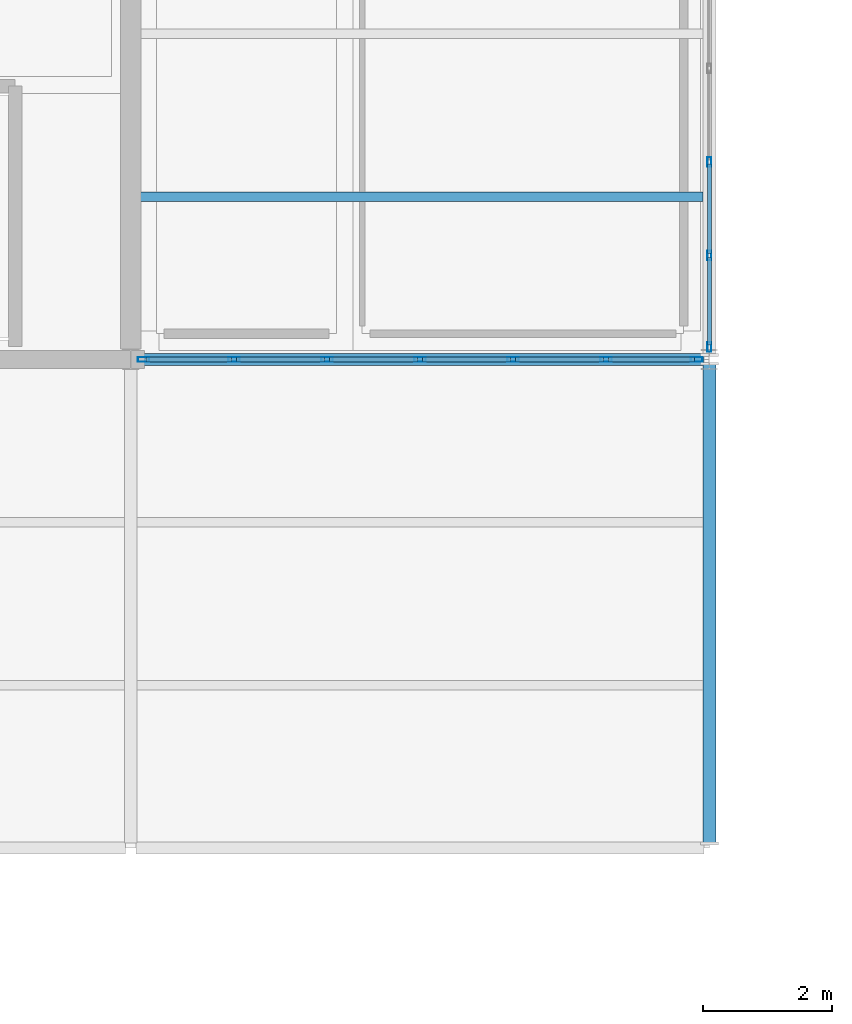
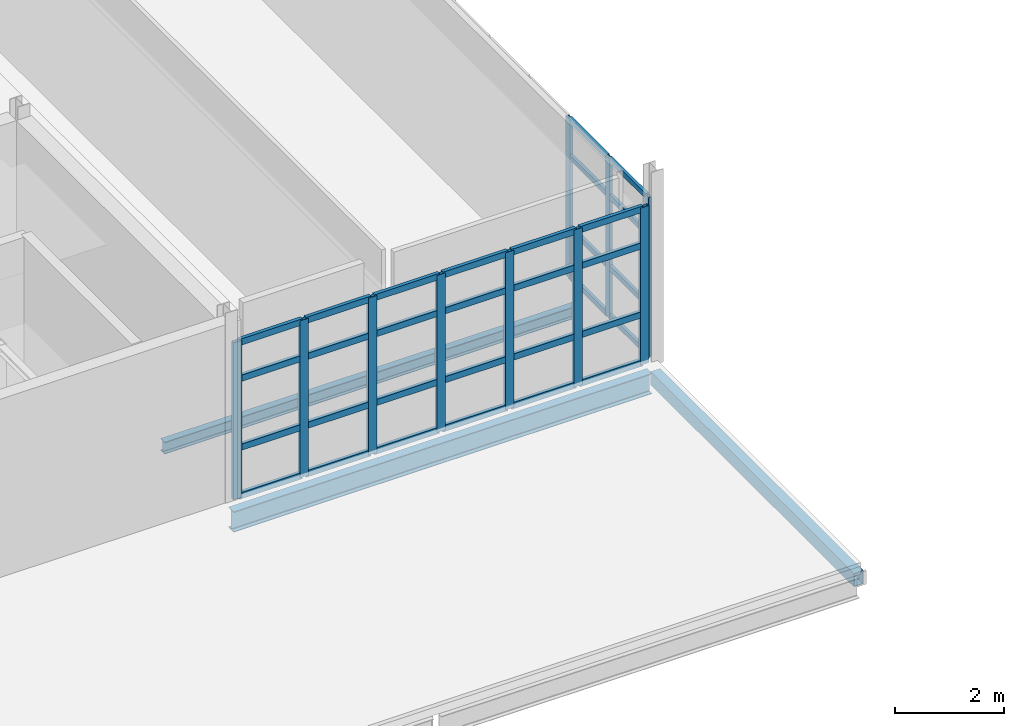
# One storey, part 58 of 96: 42 members, 3 beams, 2 elements without a shape of their own.
"""IFC4 building model written with IfcOpenShell, lengths in metres."""

import ifcopenshell
import ifcopenshell.guid

model = None  # the IFC model being written
_history = None  # IfcOwnerHistory: only IFC2X3 demands one
_inside = {}  # id of a spatial element -> (the spatial element, [elements in it])
_under = {}  # id of a project, library or spatial element -> (it, [spatial elements below it])
_declared = {}  # id of a project -> (the project, [libraries it declares])
_typed = {}  # id of a type object -> (the type object, [elements of that type])
_made_of = {}  # id of a material, layer set ... -> (it, [elements and type objects made of it])


def new_model(schema):
    """Start an empty IFC model of exactly this schema.

    Asked for "IFC4X3", IfcOpenShell would pick the latest addendum, in which some entities
    have other attributes; the version numbers below select the first issue.
    IFC2X3 requires an IfcOwnerHistory on every rooted entity: one is made here for all.
    """
    global model, _history
    if schema == "IFC4X3":
        model = ifcopenshell.file(schema_version=(4, 3, 0, 0))
    else:
        model = ifcopenshell.file(schema=schema)
    _inside.clear()
    _under.clear()
    _declared.clear()
    _typed.clear()
    _made_of.clear()
    _history = None
    if model.schema == "IFC2X3":
        org = make("IfcOrganization", Name="unknown")
        user = make(
            "IfcPersonAndOrganization",
            ThePerson=make("IfcPerson", FamilyName="unknown"),
            TheOrganization=org,
        )
        app = make(
            "IfcApplication",
            ApplicationDeveloper=org,
            Version="unknown",
            ApplicationFullName="unknown",
            ApplicationIdentifier="unknown",
        )
        _history = make(
            "IfcOwnerHistory",
            OwningUser=user,
            OwningApplication=app,
            ChangeAction="ADDED",
            CreationDate=0,
        )
    return model


def make(cls, **values):
    """One entity of the class cls with the attributes given. An attribute that is None is left unset."""
    return model.create_entity(
        cls, **{name: value for name, value in values.items() if value is not None}
    )


def rooted(cls, **values):
    """An entity with a GlobalId (a new one), such as an element, a storey or a relation."""
    return make(cls, GlobalId=ifcopenshell.guid.new(), OwnerHistory=_history, **values)


def si_unit(unit_type, name, prefix=None):
    """IfcSIUnit, for example si_unit("LENGTHUNIT", "METRE", prefix="MILLI")."""
    return make("IfcSIUnit", UnitType=unit_type, Prefix=prefix, Name=name)


def assignment(units):
    """IfcUnitAssignment: the units of a project."""
    return None if units is None else make("IfcUnitAssignment", Units=units)


def point(xyz):
    """IfcCartesianPoint."""
    return None if xyz is None else make("IfcCartesianPoint", Coordinates=xyz)


def direction(xyz):
    """IfcDirection."""
    return None if xyz is None else make("IfcDirection", DirectionRatios=xyz)


def frame(location, z_axis=None, x_axis=None):
    """IfcAxis2Placement3D, a coordinate frame: its origin and axes. An axis left out is left unset."""
    return make(
        "IfcAxis2Placement3D",
        Location=point(location),
        Axis=direction(z_axis),
        RefDirection=direction(x_axis),
    )


def frame_2d(location, x_axis=None):
    """IfcAxis2Placement2D, a coordinate frame in the plane: its origin and x axis."""
    return make(
        "IfcAxis2Placement2D", Location=point(location), RefDirection=direction(x_axis)
    )


def origin():
    """The frame at (0, 0, 0) with its axes left unset."""
    return frame((0.0, 0.0, 0.0))


def origin_2d():
    """The frame at (0, 0) in the plane with its x axis left unset."""
    return frame_2d((0.0, 0.0))


def place(relative_to, where):
    """IfcLocalPlacement: puts the frame where relative to a parent placement (None: the world)."""
    return make(
        "IfcLocalPlacement", PlacementRelTo=relative_to, RelativePlacement=where
    )


def context(
    kind, dimensions, precision=None, world=None, true_north=None, identifier=None
):
    """IfcGeometricRepresentationContext, for example the 3D "Model" context."""
    return make(
        "IfcGeometricRepresentationContext",
        ContextIdentifier=identifier,
        ContextType=kind,
        CoordinateSpaceDimension=dimensions,
        Precision=precision,
        WorldCoordinateSystem=world,
        TrueNorth=true_north,
    )


def subcontext(parent, identifier, kind, view, scale=None):
    """IfcGeometricRepresentationSubContext, for example "Body" below "Model"."""
    return make(
        "IfcGeometricRepresentationSubContext",
        ContextIdentifier=identifier,
        ContextType=kind,
        ParentContext=parent,
        TargetScale=scale,
        TargetView=view,
    )


def project(units=None, contexts=None):
    """IfcProject with its units and contexts."""
    return rooted(
        "IfcProject",
        Name="project",
        RepresentationContexts=contexts,
        UnitsInContext=assignment(units),
    )


def spatial(cls, under=None, at=None, **own):
    """A site, building, storey or space (cls), placed at a placement, below another one or the project."""
    s = rooted(cls, ObjectPlacement=at, **own)
    if under is not None:
        _under.setdefault(under.id(), (under, []))[1].append(s)
    return s


def profile(cls, at=None, kind="AREA", **sizes):
    """A parametric profile (cls). Its sizes go by their IFC names, for example OverallWidth=200.0."""
    return make(cls, ProfileType=kind, Position=at, **sizes)


def hollow_rectangle(**sizes):
    """IfcRectangleHollowProfileDef."""
    return profile("IfcRectangleHollowProfileDef", **sizes)


def i_section(**sizes):
    """IfcIShapeProfileDef."""
    return profile("IfcIShapeProfileDef", **sizes)


def extrude(swept, where, along, depth):
    """IfcExtrudedAreaSolid: the profile swept, set in the frame where, extruded along a direction by depth."""
    return make(
        "IfcExtrudedAreaSolid",
        SweptArea=swept,
        Position=where,
        ExtrudedDirection=direction(along),
        Depth=depth,
    )


def shape(context_of_items, identifier, shape_type, items):
    """IfcShapeRepresentation: the items that make up one representation, for example the "Body"."""
    return make(
        "IfcShapeRepresentation",
        ContextOfItems=context_of_items,
        RepresentationIdentifier=identifier,
        RepresentationType=shape_type,
        Items=items,
    )


def material(Name=None, Category=None):
    """IfcMaterial."""
    return make("IfcMaterial", Name=Name, Category=Category)


def material_profile(
    of_material, cross_section, Name=None, Category=None, Priority=None
):
    """IfcMaterialProfile: a cross section and its material."""
    return make(
        "IfcMaterialProfile",
        Name=Name,
        Material=of_material,
        Profile=cross_section,
        Priority=Priority,
        Category=Category,
    )


def profile_set(profiles, Name=None, composite=None):
    """IfcMaterialProfileSet."""
    return make(
        "IfcMaterialProfileSet",
        Name=Name,
        MaterialProfiles=profiles,
        CompositeProfile=composite,
    )


def made_of(thing, what):
    """Note that an element or type object is made of a material, layer set ...; save() writes the relation."""
    if what is not None:
        _made_of.setdefault(what.id(), (what, []))[1].append(thing)
    return thing


def type_object(cls, material=None, **own):
    """A type object (cls), such as IfcWallType, which elements share."""
    return made_of(rooted(cls, **own), material)


def element(
    cls,
    number,
    at=None,
    inside=None,
    cuts=None,
    type_object=None,
    material=None,
    context=None,
    identifier="Body",
    shape_type=None,
    held_by="IfcProductDefinitionShape",
    body=None,
    shapes=None,
    **own,
):
    """One element of the class cls, such as IfcWall. Its Tag is "e" and its number.

    at: its placement. inside: the storey or other place that contains it. cuts: it is an
    opening in that element (IfcRelVoidsElement). A single representation is given by context,
    identifier, shape_type and body (its items); several are given by shapes. held_by: the class
    of the entity that holds the representations. save() writes the other relations.
    """
    e = rooted(cls, Tag="e%d" % number, ObjectPlacement=at, **own)
    if body is not None:
        shapes = [shape(context, identifier, shape_type, body)]
    if shapes is not None:
        e.Representation = make(held_by, Representations=shapes)
    if inside is not None:
        _inside.setdefault(inside.id(), (inside, []))[1].append(e)
    if cuts is not None:
        rooted(
            "IfcRelVoidsElement", RelatingBuildingElement=cuts, RelatedOpeningElement=e
        )
    if type_object is not None:
        _typed.setdefault(type_object.id(), (type_object, []))[1].append(e)
    return made_of(e, material)


def aggregate(whole, parts):
    """IfcRelAggregates: a whole, such as a stair, and the parts it consists of."""
    return rooted("IfcRelAggregates", RelatingObject=whole, RelatedObjects=parts)


def save(model, path):
    """Write the relations noted so far, then the file.

    IfcRelAggregates (storeys below a building ...), IfcRelContainedInSpatialStructure (elements
    in a storey), IfcRelDefinesByType, IfcRelAssociatesMaterial and IfcRelDeclares: one each for
    every whole, place, type object, material and project.
    """
    for whole, parts in _under.values():
        aggregate(whole, parts)
    for where, things in _inside.values():
        rooted(
            "IfcRelContainedInSpatialStructure",
            RelatedElements=things,
            RelatingStructure=where,
        )
    for kind, things in _typed.values():
        rooted("IfcRelDefinesByType", RelatedObjects=things, RelatingType=kind)
    for what, things in _made_of.values():
        rooted("IfcRelAssociatesMaterial", RelatedObjects=things, RelatingMaterial=what)
    for by, libraries in _declared.values():
        rooted("IfcRelDeclares", RelatingContext=by, RelatedDefinitions=libraries)
    model.write(path)


model = new_model("IFC4")

# Units and contexts
model_context = context("Model", 3, precision=1e-05, world=origin(), true_north=direction((0.0, 1.0)))
body_context = subcontext(model_context, "Body", "Model", "MODEL_VIEW")
ifc_project = project(units=[si_unit("LENGTHUNIT", "METRE"), si_unit("AREAUNIT", "SQUARE_METRE"), si_unit("VOLUMEUNIT", "CUBIC_METRE"), si_unit("PLANEANGLEUNIT", "RADIAN"), si_unit("MASSUNIT", "GRAM", prefix="KILO")], contexts=[model_context])

# Site, building, storey
site_placement = place(None, origin())
site = spatial("IfcSite", under=ifc_project, at=site_placement, CompositionType="ELEMENT")
building_placement = place(site_placement, origin())
building = spatial("IfcBuilding", under=site, at=building_placement, Name="Caisbarro Railhouse Central Library", CompositionType="ELEMENT")
storey_placement = place(building_placement, frame((0.0, 0.0, 13.679931640625)))
storey = spatial("IfcBuildingStorey", under=building, at=storey_placement, Name="L03", CompositionType="ELEMENT", Elevation=13.679931640625)

# Beams
ifc_material_1 = material(Name="Steel ASTM A572 Grade 50", Category="steel")
ifc_material_profile_1 = material_profile(ifc_material_1, i_section(OverallWidth=0.14794921875, OverallDepth=0.26611328125, WebThickness=0.007568359375, FlangeThickness=0.012939453125, FilletRadius=0.010009765625, at=origin_2d()), Name="W250X44.8")
ifc_profile_set_1 = profile_set([ifc_material_profile_1], Name="Steel ASTM A572 Grade 50")
beam_type_1 = type_object("IfcBeamType", Name="BM-J04", PredefinedType="JOIST", material=ifc_profile_set_1)
beam_1_placement = place(storey_placement, frame((144.094970703125, 70.933349609375, -0.35302734375), z_axis=(1.0, 0.0, 0.0), x_axis=(0.0, 1.0, 0.0)))
element("IfcBeam", 1, at=beam_1_placement, inside=storey, type_object=beam_type_1, Name="J04 beam L03 #1933", PredefinedType="JOIST", context=body_context, shape_type="SweptSolid", body=[
    extrude(i_section(OverallWidth=0.14794921875, OverallDepth=0.26611328125, WebThickness=0.007568359375, FlangeThickness=0.012939453125, FilletRadius=0.010009765625, at=origin_2d()), origin(), (0.0, 0.0, 1.0), 8.804931640625),
])
ifc_material_profile_2 = material_profile(ifc_material_1, i_section(OverallWidth=0.18994140625, OverallDepth=0.45703125, WebThickness=0.009033203125, FlangeThickness=0.014404296875, FilletRadius=0.01806640625, at=origin_2d()), Name="W460X74.0")
ifc_profile_set_2 = profile_set([ifc_material_profile_2], Name="Steel ASTM A572 Grade 50")
beam_type_2 = type_object("IfcBeamType", Name="BM-SP01", PredefinedType="SPANDREL", material=ifc_profile_set_2)
beam_2_placement = place(storey_placement, frame((144.080078125, 68.39990234375, -0.448486328125), z_axis=(1.0, 0.0, 0.0), x_axis=(0.0, 1.0, 0.0)))
element("IfcBeam", 2, at=beam_2_placement, inside=storey, type_object=beam_type_2, Name="SP01 beam L03 #1858", PredefinedType="SPANDREL", context=body_context, shape_type="SweptSolid", body=[
    extrude(i_section(OverallWidth=0.18994140625, OverallDepth=0.45703125, WebThickness=0.009033203125, FlangeThickness=0.014404296875, FilletRadius=0.01806640625, at=origin_2d()), origin(), (0.0, 0.0, 1.0), 8.83984375),
])
ifc_material_profile_3 = material_profile(ifc_material_1, hollow_rectangle(XDim=0.199951171875, YDim=0.300048828125, WallThickness=0.012451171875, at=origin_2d()), Name="HSS300X200X12.5")
ifc_profile_set_3 = profile_set([ifc_material_profile_3], Name="Steel ASTM A572 Grade 50")
beam_type_3 = type_object("IfcBeamType", Name="BM-SP02", PredefinedType="SPANDREL", material=ifc_profile_set_3)
beam_3_placement = place(storey_placement, frame((153.0, 60.8798828125, -0.329833984375), z_axis=(0.0, 1.0, 0.0), x_axis=(-1.0, 0.0, 0.0)))
element("IfcBeam", 3, at=beam_3_placement, inside=storey, type_object=beam_type_3, Name="SP02 beam L03 #2415", PredefinedType="SPANDREL", context=body_context, shape_type="SweptSolid", body=[
    extrude(hollow_rectangle(XDim=0.199951171875, YDim=0.300048828125, WallThickness=0.012451171875, at=origin_2d()), origin(), (0.0, 0.0, 1.0), 7.440185546875),
])

# Curtain wall, members
ifc_material_2 = material(Name="Anodised architectural aluminium", Category="aluminium")
curtain_wall_type_1 = type_object("IfcCurtainWallType", Name="CW-CW02", PredefinedType="NOTDEFINED", material=ifc_material_2)
curtain_wall_1_placement = place(storey_placement, origin())
curtain_wall_1 = element("IfcCurtainWall", 4, at=curtain_wall_1_placement, inside=storey, type_object=curtain_wall_type_1, Name="CW02 curtain wall L03 #150", PredefinedType="NOTDEFINED")
ifc_material_profile_4 = material_profile(ifc_material_2, hollow_rectangle(XDim=0.074951171875, YDim=0.179931640625, WallThickness=0.00439453125, at=origin_2d()), Name="ALU-MUL-75X180")
ifc_profile_set_4 = profile_set([ifc_material_profile_4], Name="Anodised architectural aluminium")
member_type_1 = type_object("IfcMemberType", Name="CWM-M01", PredefinedType="MULLION", material=ifc_profile_set_4)
member_1_placement = place(storey_placement, frame((144.197509765625, 68.39990234375, 0.0), z_axis=(0.0, 0.0, 1.0), x_axis=(0.0, 1.0, 0.0)))
member_1 = element("IfcMember", 5, at=member_1_placement, type_object=member_type_1, Name="CW02 mullion 1", PredefinedType="MULLION", context=body_context, shape_type="SweptSolid", body=[
    extrude(hollow_rectangle(XDim=0.074951171875, YDim=0.179931640625, WallThickness=0.00439453125, at=origin_2d()), origin(), (0.0, 0.0, 1.0), 3.510009765625),
])
member_2_placement = place(storey_placement, frame((145.606689453125, 68.39990234375, 0.0), z_axis=(0.0, 0.0, 1.0), x_axis=(0.0, 1.0, 0.0)))
member_2 = element("IfcMember", 6, at=member_2_placement, type_object=member_type_1, Name="CW02 mullion 2", PredefinedType="MULLION", context=body_context, shape_type="SweptSolid", body=[
    extrude(hollow_rectangle(XDim=0.074951171875, YDim=0.179931640625, WallThickness=0.00439453125, at=origin_2d()), origin(), (0.0, 0.0, 1.0), 3.510009765625),
])
member_3_placement = place(storey_placement, frame((147.05322265625, 68.39990234375, 0.0), z_axis=(0.0, 0.0, 1.0), x_axis=(0.0, 1.0, 0.0)))
member_3 = element("IfcMember", 7, at=member_3_placement, type_object=member_type_1, Name="CW02 mullion 3", PredefinedType="MULLION", context=body_context, shape_type="SweptSolid", body=[
    extrude(hollow_rectangle(XDim=0.074951171875, YDim=0.179931640625, WallThickness=0.00439453125, at=origin_2d()), origin(), (0.0, 0.0, 1.0), 3.510009765625),
])
member_4_placement = place(storey_placement, frame((148.5, 68.39990234375, 0.0), z_axis=(0.0, 0.0, 1.0), x_axis=(0.0, 1.0, 0.0)))
member_4 = element("IfcMember", 8, at=member_4_placement, type_object=member_type_1, Name="CW02 mullion 4", PredefinedType="MULLION", context=body_context, shape_type="SweptSolid", body=[
    extrude(hollow_rectangle(XDim=0.074951171875, YDim=0.179931640625, WallThickness=0.00439453125, at=origin_2d()), origin(), (0.0, 0.0, 1.0), 3.510009765625),
])
member_5_placement = place(storey_placement, frame((149.94677734375, 68.39990234375, 0.0), z_axis=(0.0, 0.0, 1.0), x_axis=(0.0, 1.0, 0.0)))
member_5 = element("IfcMember", 9, at=member_5_placement, type_object=member_type_1, Name="CW02 mullion 5", PredefinedType="MULLION", context=body_context, shape_type="SweptSolid", body=[
    extrude(hollow_rectangle(XDim=0.074951171875, YDim=0.179931640625, WallThickness=0.00439453125, at=origin_2d()), origin(), (0.0, 0.0, 1.0), 3.510009765625),
])
member_6_placement = place(storey_placement, frame((151.393310546875, 68.39990234375, 0.0), z_axis=(0.0, 0.0, 1.0), x_axis=(0.0, 1.0, 0.0)))
member_6 = element("IfcMember", 10, at=member_6_placement, type_object=member_type_1, Name="CW02 mullion 6", PredefinedType="MULLION", context=body_context, shape_type="SweptSolid", body=[
    extrude(hollow_rectangle(XDim=0.074951171875, YDim=0.179931640625, WallThickness=0.00439453125, at=origin_2d()), origin(), (0.0, 0.0, 1.0), 3.510009765625),
])
member_7_placement = place(storey_placement, frame((152.802490234375, 68.39990234375, 0.0), z_axis=(0.0, 0.0, 1.0), x_axis=(0.0, 1.0, 0.0)))
member_7 = element("IfcMember", 11, at=member_7_placement, type_object=member_type_1, Name="CW02 mullion 7", PredefinedType="MULLION", context=body_context, shape_type="SweptSolid", body=[
    extrude(hollow_rectangle(XDim=0.074951171875, YDim=0.179931640625, WallThickness=0.00439453125, at=origin_2d()), origin(), (0.0, 0.0, 1.0), 3.510009765625),
])

curtain_wall_type_2 = type_object("IfcCurtainWallType", Name="CW-CW03", PredefinedType="NOTDEFINED", material=ifc_material_2)
curtain_wall_2_placement = place(storey_placement, origin())
curtain_wall_2 = element("IfcCurtainWall", 12, at=curtain_wall_2_placement, inside=storey, type_object=curtain_wall_type_2, Name="CW03 curtain wall L03 #151", PredefinedType="NOTDEFINED")
ifc_material_profile_5 = material_profile(ifc_material_2, hollow_rectangle(XDim=0.06494140625, YDim=0.14990234375, WallThickness=0.00390625, at=origin_2d()), Name="ALU-MUL-65X150")
ifc_profile_set_5 = profile_set([ifc_material_profile_5], Name="Anodised architectural aluminium")
member_type_2 = type_object("IfcMemberType", Name="CWM-M02", PredefinedType="MULLION", material=ifc_profile_set_5)
member_8_placement = place(storey_placement, frame((153.0, 68.592529296875, 0.0), z_axis=(0.0, 0.0, 1.0), x_axis=(-1.0, 0.0, 0.0)))
member_8 = element("IfcMember", 13, at=member_8_placement, type_object=member_type_2, Name="CW03 mullion 1", PredefinedType="MULLION", context=body_context, shape_type="SweptSolid", body=[
    extrude(hollow_rectangle(XDim=0.06494140625, YDim=0.14990234375, WallThickness=0.00390625, at=origin_2d()), origin(), (0.0, 0.0, 1.0), 3.56005859375),
])
member_9_placement = place(storey_placement, frame((153.0, 70.01611328125, 0.0), z_axis=(0.0, 0.0, 1.0), x_axis=(-1.0, 0.0, 0.0)))
member_9 = element("IfcMember", 14, at=member_9_placement, type_object=member_type_2, Name="CW03 mullion 2", PredefinedType="MULLION", context=body_context, shape_type="SweptSolid", body=[
    extrude(hollow_rectangle(XDim=0.06494140625, YDim=0.14990234375, WallThickness=0.00390625, at=origin_2d()), origin(), (0.0, 0.0, 1.0), 3.56005859375),
])
member_10_placement = place(storey_placement, frame((153.0, 71.471923828125, 0.0), z_axis=(0.0, 0.0, 1.0), x_axis=(-1.0, 0.0, 0.0)))
member_10 = element("IfcMember", 15, at=member_10_placement, type_object=member_type_2, Name="CW03 mullion 3", PredefinedType="MULLION", context=body_context, shape_type="SweptSolid", body=[
    extrude(hollow_rectangle(XDim=0.06494140625, YDim=0.14990234375, WallThickness=0.00390625, at=origin_2d()), origin(), (0.0, 0.0, 1.0), 3.56005859375),
])

# Member
ifc_material_profile_6 = material_profile(ifc_material_2, hollow_rectangle(XDim=0.074951171875, YDim=0.139892578125, WallThickness=0.00390625, at=origin_2d()), Name="ALU-TRN-75X140")
ifc_profile_set_6 = profile_set([ifc_material_profile_6], Name="Anodised architectural aluminium")
member_type_3 = type_object("IfcMemberType", Name="CWT-T01", PredefinedType="USERDEFINED", material=ifc_profile_set_6)
member_11_placement = place(storey_placement, frame((144.235107421875, 68.39990234375, 0.03759765625), z_axis=(1.0, 0.0, 0.0), x_axis=(0.0, 1.0, 0.0)))
member_11 = element("IfcMember", 16, at=member_11_placement, type_object=member_type_3, Name="CW02 transom 1.1", ObjectType="TRANSOM", PredefinedType="USERDEFINED", context=body_context, shape_type="SweptSolid", body=[
    extrude(hollow_rectangle(XDim=0.074951171875, YDim=0.139892578125, WallThickness=0.00390625, at=origin_2d()), origin(), (0.0, 0.0, 1.0), 1.333984375),
])

member_12_placement = place(storey_placement, frame((144.235107421875, 68.39990234375, 1.1201171875), z_axis=(1.0, 0.0, 0.0), x_axis=(0.0, 1.0, 0.0)))
member_12 = element("IfcMember", 17, at=member_12_placement, type_object=member_type_3, Name="CW02 transom 1.2", ObjectType="TRANSOM", PredefinedType="USERDEFINED", context=body_context, shape_type="SweptSolid", body=[
    extrude(hollow_rectangle(XDim=0.074951171875, YDim=0.139892578125, WallThickness=0.00390625, at=origin_2d()), origin(), (0.0, 0.0, 1.0), 1.333984375),
])

member_13_placement = place(storey_placement, frame((144.235107421875, 68.39990234375, 2.66015625), z_axis=(1.0, 0.0, 0.0), x_axis=(0.0, 1.0, 0.0)))
member_13 = element("IfcMember", 18, at=member_13_placement, type_object=member_type_3, Name="CW02 transom 1.3", ObjectType="TRANSOM", PredefinedType="USERDEFINED", context=body_context, shape_type="SweptSolid", body=[
    extrude(hollow_rectangle(XDim=0.074951171875, YDim=0.139892578125, WallThickness=0.00390625, at=origin_2d()), origin(), (0.0, 0.0, 1.0), 1.333984375),
])

member_14_placement = place(storey_placement, frame((144.235107421875, 68.39990234375, 3.47265625), z_axis=(1.0, 0.0, 0.0), x_axis=(0.0, 1.0, 0.0)))
member_14 = element("IfcMember", 19, at=member_14_placement, type_object=member_type_3, Name="CW02 transom 1.4", ObjectType="TRANSOM", PredefinedType="USERDEFINED", context=body_context, shape_type="SweptSolid", body=[
    extrude(hollow_rectangle(XDim=0.074951171875, YDim=0.139892578125, WallThickness=0.00390625, at=origin_2d()), origin(), (0.0, 0.0, 1.0), 1.333984375),
])

member_15_placement = place(storey_placement, frame((145.644287109375, 68.39990234375, 0.03759765625), z_axis=(1.0, 0.0, 0.0), x_axis=(0.0, 1.0, 0.0)))
member_15 = element("IfcMember", 20, at=member_15_placement, type_object=member_type_3, Name="CW02 transom 2.1", ObjectType="TRANSOM", PredefinedType="USERDEFINED", context=body_context, shape_type="SweptSolid", body=[
    extrude(hollow_rectangle(XDim=0.074951171875, YDim=0.139892578125, WallThickness=0.00390625, at=origin_2d()), origin(), (0.0, 0.0, 1.0), 1.37158203125),
])

member_16_placement = place(storey_placement, frame((145.644287109375, 68.39990234375, 1.1201171875), z_axis=(1.0, 0.0, 0.0), x_axis=(0.0, 1.0, 0.0)))
member_16 = element("IfcMember", 21, at=member_16_placement, type_object=member_type_3, Name="CW02 transom 2.2", ObjectType="TRANSOM", PredefinedType="USERDEFINED", context=body_context, shape_type="SweptSolid", body=[
    extrude(hollow_rectangle(XDim=0.074951171875, YDim=0.139892578125, WallThickness=0.00390625, at=origin_2d()), origin(), (0.0, 0.0, 1.0), 1.37158203125),
])

member_17_placement = place(storey_placement, frame((145.644287109375, 68.39990234375, 2.66015625), z_axis=(1.0, 0.0, 0.0), x_axis=(0.0, 1.0, 0.0)))
member_17 = element("IfcMember", 22, at=member_17_placement, type_object=member_type_3, Name="CW02 transom 2.3", ObjectType="TRANSOM", PredefinedType="USERDEFINED", context=body_context, shape_type="SweptSolid", body=[
    extrude(hollow_rectangle(XDim=0.074951171875, YDim=0.139892578125, WallThickness=0.00390625, at=origin_2d()), origin(), (0.0, 0.0, 1.0), 1.37158203125),
])

member_18_placement = place(storey_placement, frame((145.644287109375, 68.39990234375, 3.47265625), z_axis=(1.0, 0.0, 0.0), x_axis=(0.0, 1.0, 0.0)))
member_18 = element("IfcMember", 23, at=member_18_placement, type_object=member_type_3, Name="CW02 transom 2.4", ObjectType="TRANSOM", PredefinedType="USERDEFINED", context=body_context, shape_type="SweptSolid", body=[
    extrude(hollow_rectangle(XDim=0.074951171875, YDim=0.139892578125, WallThickness=0.00390625, at=origin_2d()), origin(), (0.0, 0.0, 1.0), 1.37158203125),
])

member_19_placement = place(storey_placement, frame((147.0908203125, 68.39990234375, 0.03759765625), z_axis=(1.0, 0.0, 0.0), x_axis=(0.0, 1.0, 0.0)))
member_19 = element("IfcMember", 24, at=member_19_placement, type_object=member_type_3, Name="CW02 transom 3.1", ObjectType="TRANSOM", PredefinedType="USERDEFINED", context=body_context, shape_type="SweptSolid", body=[
    extrude(hollow_rectangle(XDim=0.074951171875, YDim=0.139892578125, WallThickness=0.00390625, at=origin_2d()), origin(), (0.0, 0.0, 1.0), 1.37158203125),
])

member_20_placement = place(storey_placement, frame((147.0908203125, 68.39990234375, 1.1201171875), z_axis=(1.0, 0.0, 0.0), x_axis=(0.0, 1.0, 0.0)))
member_20 = element("IfcMember", 25, at=member_20_placement, type_object=member_type_3, Name="CW02 transom 3.2", ObjectType="TRANSOM", PredefinedType="USERDEFINED", context=body_context, shape_type="SweptSolid", body=[
    extrude(hollow_rectangle(XDim=0.074951171875, YDim=0.139892578125, WallThickness=0.00390625, at=origin_2d()), origin(), (0.0, 0.0, 1.0), 1.37158203125),
])

member_21_placement = place(storey_placement, frame((147.0908203125, 68.39990234375, 2.66015625), z_axis=(1.0, 0.0, 0.0), x_axis=(0.0, 1.0, 0.0)))
member_21 = element("IfcMember", 26, at=member_21_placement, type_object=member_type_3, Name="CW02 transom 3.3", ObjectType="TRANSOM", PredefinedType="USERDEFINED", context=body_context, shape_type="SweptSolid", body=[
    extrude(hollow_rectangle(XDim=0.074951171875, YDim=0.139892578125, WallThickness=0.00390625, at=origin_2d()), origin(), (0.0, 0.0, 1.0), 1.37158203125),
])

member_22_placement = place(storey_placement, frame((147.0908203125, 68.39990234375, 3.47265625), z_axis=(1.0, 0.0, 0.0), x_axis=(0.0, 1.0, 0.0)))
member_22 = element("IfcMember", 27, at=member_22_placement, type_object=member_type_3, Name="CW02 transom 3.4", ObjectType="TRANSOM", PredefinedType="USERDEFINED", context=body_context, shape_type="SweptSolid", body=[
    extrude(hollow_rectangle(XDim=0.074951171875, YDim=0.139892578125, WallThickness=0.00390625, at=origin_2d()), origin(), (0.0, 0.0, 1.0), 1.37158203125),
])

member_23_placement = place(storey_placement, frame((148.53759765625, 68.39990234375, 0.03759765625), z_axis=(1.0, 0.0, 0.0), x_axis=(0.0, 1.0, 0.0)))
member_23 = element("IfcMember", 28, at=member_23_placement, type_object=member_type_3, Name="CW02 transom 4.1", ObjectType="TRANSOM", PredefinedType="USERDEFINED", context=body_context, shape_type="SweptSolid", body=[
    extrude(hollow_rectangle(XDim=0.074951171875, YDim=0.139892578125, WallThickness=0.00390625, at=origin_2d()), origin(), (0.0, 0.0, 1.0), 1.37158203125),
])

member_24_placement = place(storey_placement, frame((148.53759765625, 68.39990234375, 1.1201171875), z_axis=(1.0, 0.0, 0.0), x_axis=(0.0, 1.0, 0.0)))
member_24 = element("IfcMember", 29, at=member_24_placement, type_object=member_type_3, Name="CW02 transom 4.2", ObjectType="TRANSOM", PredefinedType="USERDEFINED", context=body_context, shape_type="SweptSolid", body=[
    extrude(hollow_rectangle(XDim=0.074951171875, YDim=0.139892578125, WallThickness=0.00390625, at=origin_2d()), origin(), (0.0, 0.0, 1.0), 1.37158203125),
])

member_25_placement = place(storey_placement, frame((148.53759765625, 68.39990234375, 2.66015625), z_axis=(1.0, 0.0, 0.0), x_axis=(0.0, 1.0, 0.0)))
member_25 = element("IfcMember", 30, at=member_25_placement, type_object=member_type_3, Name="CW02 transom 4.3", ObjectType="TRANSOM", PredefinedType="USERDEFINED", context=body_context, shape_type="SweptSolid", body=[
    extrude(hollow_rectangle(XDim=0.074951171875, YDim=0.139892578125, WallThickness=0.00390625, at=origin_2d()), origin(), (0.0, 0.0, 1.0), 1.37158203125),
])

member_26_placement = place(storey_placement, frame((148.53759765625, 68.39990234375, 3.47265625), z_axis=(1.0, 0.0, 0.0), x_axis=(0.0, 1.0, 0.0)))
member_26 = element("IfcMember", 31, at=member_26_placement, type_object=member_type_3, Name="CW02 transom 4.4", ObjectType="TRANSOM", PredefinedType="USERDEFINED", context=body_context, shape_type="SweptSolid", body=[
    extrude(hollow_rectangle(XDim=0.074951171875, YDim=0.139892578125, WallThickness=0.00390625, at=origin_2d()), origin(), (0.0, 0.0, 1.0), 1.37158203125),
])

member_27_placement = place(storey_placement, frame((149.984130859375, 68.39990234375, 0.03759765625), z_axis=(1.0, 0.0, 0.0), x_axis=(0.0, 1.0, 0.0)))
member_27 = element("IfcMember", 32, at=member_27_placement, type_object=member_type_3, Name="CW02 transom 5.1", ObjectType="TRANSOM", PredefinedType="USERDEFINED", context=body_context, shape_type="SweptSolid", body=[
    extrude(hollow_rectangle(XDim=0.074951171875, YDim=0.139892578125, WallThickness=0.00390625, at=origin_2d()), origin(), (0.0, 0.0, 1.0), 1.37158203125),
])

member_28_placement = place(storey_placement, frame((149.984130859375, 68.39990234375, 1.1201171875), z_axis=(1.0, 0.0, 0.0), x_axis=(0.0, 1.0, 0.0)))
member_28 = element("IfcMember", 33, at=member_28_placement, type_object=member_type_3, Name="CW02 transom 5.2", ObjectType="TRANSOM", PredefinedType="USERDEFINED", context=body_context, shape_type="SweptSolid", body=[
    extrude(hollow_rectangle(XDim=0.074951171875, YDim=0.139892578125, WallThickness=0.00390625, at=origin_2d()), origin(), (0.0, 0.0, 1.0), 1.37158203125),
])

member_29_placement = place(storey_placement, frame((149.984130859375, 68.39990234375, 2.66015625), z_axis=(1.0, 0.0, 0.0), x_axis=(0.0, 1.0, 0.0)))
member_29 = element("IfcMember", 34, at=member_29_placement, type_object=member_type_3, Name="CW02 transom 5.3", ObjectType="TRANSOM", PredefinedType="USERDEFINED", context=body_context, shape_type="SweptSolid", body=[
    extrude(hollow_rectangle(XDim=0.074951171875, YDim=0.139892578125, WallThickness=0.00390625, at=origin_2d()), origin(), (0.0, 0.0, 1.0), 1.37158203125),
])

member_30_placement = place(storey_placement, frame((149.984130859375, 68.39990234375, 3.47265625), z_axis=(1.0, 0.0, 0.0), x_axis=(0.0, 1.0, 0.0)))
member_30 = element("IfcMember", 35, at=member_30_placement, type_object=member_type_3, Name="CW02 transom 5.4", ObjectType="TRANSOM", PredefinedType="USERDEFINED", context=body_context, shape_type="SweptSolid", body=[
    extrude(hollow_rectangle(XDim=0.074951171875, YDim=0.139892578125, WallThickness=0.00390625, at=origin_2d()), origin(), (0.0, 0.0, 1.0), 1.37158203125),
])

member_31_placement = place(storey_placement, frame((151.430908203125, 68.39990234375, 0.03759765625), z_axis=(1.0, 0.0, 0.0), x_axis=(0.0, 1.0, 0.0)))
member_31 = element("IfcMember", 36, at=member_31_placement, type_object=member_type_3, Name="CW02 transom 6.1", ObjectType="TRANSOM", PredefinedType="USERDEFINED", context=body_context, shape_type="SweptSolid", body=[
    extrude(hollow_rectangle(XDim=0.074951171875, YDim=0.139892578125, WallThickness=0.00390625, at=origin_2d()), origin(), (0.0, 0.0, 1.0), 1.333984375),
])

member_32_placement = place(storey_placement, frame((151.430908203125, 68.39990234375, 1.1201171875), z_axis=(1.0, 0.0, 0.0), x_axis=(0.0, 1.0, 0.0)))
member_32 = element("IfcMember", 37, at=member_32_placement, type_object=member_type_3, Name="CW02 transom 6.2", ObjectType="TRANSOM", PredefinedType="USERDEFINED", context=body_context, shape_type="SweptSolid", body=[
    extrude(hollow_rectangle(XDim=0.074951171875, YDim=0.139892578125, WallThickness=0.00390625, at=origin_2d()), origin(), (0.0, 0.0, 1.0), 1.333984375),
])

member_33_placement = place(storey_placement, frame((151.430908203125, 68.39990234375, 2.66015625), z_axis=(1.0, 0.0, 0.0), x_axis=(0.0, 1.0, 0.0)))
member_33 = element("IfcMember", 38, at=member_33_placement, type_object=member_type_3, Name="CW02 transom 6.3", ObjectType="TRANSOM", PredefinedType="USERDEFINED", context=body_context, shape_type="SweptSolid", body=[
    extrude(hollow_rectangle(XDim=0.074951171875, YDim=0.139892578125, WallThickness=0.00390625, at=origin_2d()), origin(), (0.0, 0.0, 1.0), 1.333984375),
])

member_34_placement = place(storey_placement, frame((151.430908203125, 68.39990234375, 3.47265625), z_axis=(1.0, 0.0, 0.0), x_axis=(0.0, 1.0, 0.0)))
member_34 = element("IfcMember", 39, at=member_34_placement, type_object=member_type_3, Name="CW02 transom 6.4", ObjectType="TRANSOM", PredefinedType="USERDEFINED", context=body_context, shape_type="SweptSolid", body=[
    extrude(hollow_rectangle(XDim=0.074951171875, YDim=0.139892578125, WallThickness=0.00390625, at=origin_2d()), origin(), (0.0, 0.0, 1.0), 1.333984375),
])

aggregate(curtain_wall_1, [member_1, member_2, member_3, member_4, member_5, member_6, member_7, member_11, member_12, member_13, member_14, member_15, member_16, member_17, member_18, member_19, member_20, member_21, member_22, member_23, member_24, member_25, member_26, member_27, member_28, member_29, member_30, member_31, member_32, member_33, member_34])

ifc_material_profile_7 = material_profile(ifc_material_2, hollow_rectangle(XDim=0.06494140625, YDim=0.1201171875, WallThickness=0.00341796875, at=origin_2d()), Name="ALU-TRN-65X120")
ifc_profile_set_7 = profile_set([ifc_material_profile_7], Name="Anodised architectural aluminium")
member_type_4 = type_object("IfcMemberType", Name="CWT-T02", PredefinedType="USERDEFINED", material=ifc_profile_set_7)
member_35_placement = place(storey_placement, frame((153.0, 68.625, 0.032470703125), z_axis=(0.0, 1.0, 0.0), x_axis=(-1.0, 0.0, 0.0)))
member_35 = element("IfcMember", 40, at=member_35_placement, type_object=member_type_4, Name="CW03 transom 1.1", ObjectType="TRANSOM", PredefinedType="USERDEFINED", context=body_context, shape_type="SweptSolid", body=[
    extrude(hollow_rectangle(XDim=0.06494140625, YDim=0.1201171875, WallThickness=0.00341796875, at=origin_2d()), origin(), (0.0, 0.0, 1.0), 1.3583984375),
])

member_36_placement = place(storey_placement, frame((153.0, 68.625, 1.1201171875), z_axis=(0.0, 1.0, 0.0), x_axis=(-1.0, 0.0, 0.0)))
member_36 = element("IfcMember", 41, at=member_36_placement, type_object=member_type_4, Name="CW03 transom 1.2", ObjectType="TRANSOM", PredefinedType="USERDEFINED", context=body_context, shape_type="SweptSolid", body=[
    extrude(hollow_rectangle(XDim=0.06494140625, YDim=0.1201171875, WallThickness=0.00341796875, at=origin_2d()), origin(), (0.0, 0.0, 1.0), 1.3583984375),
])

member_37_placement = place(storey_placement, frame((153.0, 68.625, 2.7099609375), z_axis=(0.0, 1.0, 0.0), x_axis=(-1.0, 0.0, 0.0)))
member_37 = element("IfcMember", 42, at=member_37_placement, type_object=member_type_4, Name="CW03 transom 1.3", ObjectType="TRANSOM", PredefinedType="USERDEFINED", context=body_context, shape_type="SweptSolid", body=[
    extrude(hollow_rectangle(XDim=0.06494140625, YDim=0.1201171875, WallThickness=0.00341796875, at=origin_2d()), origin(), (0.0, 0.0, 1.0), 1.3583984375),
])

member_38_placement = place(storey_placement, frame((153.0, 68.625, 3.527587890625), z_axis=(0.0, 1.0, 0.0), x_axis=(-1.0, 0.0, 0.0)))
member_38 = element("IfcMember", 43, at=member_38_placement, type_object=member_type_4, Name="CW03 transom 1.4", ObjectType="TRANSOM", PredefinedType="USERDEFINED", context=body_context, shape_type="SweptSolid", body=[
    extrude(hollow_rectangle(XDim=0.06494140625, YDim=0.1201171875, WallThickness=0.00341796875, at=origin_2d()), origin(), (0.0, 0.0, 1.0), 1.3583984375),
])

member_39_placement = place(storey_placement, frame((153.0, 70.048583984375, 0.032470703125), z_axis=(0.0, 1.0, 0.0), x_axis=(-1.0, 0.0, 0.0)))
member_39 = element("IfcMember", 44, at=member_39_placement, type_object=member_type_4, Name="CW03 transom 2.1", ObjectType="TRANSOM", PredefinedType="USERDEFINED", context=body_context, shape_type="SweptSolid", body=[
    extrude(hollow_rectangle(XDim=0.06494140625, YDim=0.1201171875, WallThickness=0.00341796875, at=origin_2d()), origin(), (0.0, 0.0, 1.0), 1.390869140625),
])

member_40_placement = place(storey_placement, frame((153.0, 70.048583984375, 1.1201171875), z_axis=(0.0, 1.0, 0.0), x_axis=(-1.0, 0.0, 0.0)))
member_40 = element("IfcMember", 45, at=member_40_placement, type_object=member_type_4, Name="CW03 transom 2.2", ObjectType="TRANSOM", PredefinedType="USERDEFINED", context=body_context, shape_type="SweptSolid", body=[
    extrude(hollow_rectangle(XDim=0.06494140625, YDim=0.1201171875, WallThickness=0.00341796875, at=origin_2d()), origin(), (0.0, 0.0, 1.0), 1.390869140625),
])

member_41_placement = place(storey_placement, frame((153.0, 70.048583984375, 2.7099609375), z_axis=(0.0, 1.0, 0.0), x_axis=(-1.0, 0.0, 0.0)))
member_41 = element("IfcMember", 46, at=member_41_placement, type_object=member_type_4, Name="CW03 transom 2.3", ObjectType="TRANSOM", PredefinedType="USERDEFINED", context=body_context, shape_type="SweptSolid", body=[
    extrude(hollow_rectangle(XDim=0.06494140625, YDim=0.1201171875, WallThickness=0.00341796875, at=origin_2d()), origin(), (0.0, 0.0, 1.0), 1.390869140625),
])

member_42_placement = place(storey_placement, frame((153.0, 70.048583984375, 3.527587890625), z_axis=(0.0, 1.0, 0.0), x_axis=(-1.0, 0.0, 0.0)))
member_42 = element("IfcMember", 47, at=member_42_placement, type_object=member_type_4, Name="CW03 transom 2.4", ObjectType="TRANSOM", PredefinedType="USERDEFINED", context=body_context, shape_type="SweptSolid", body=[
    extrude(hollow_rectangle(XDim=0.06494140625, YDim=0.1201171875, WallThickness=0.00341796875, at=origin_2d()), origin(), (0.0, 0.0, 1.0), 1.390869140625),
])

aggregate(curtain_wall_2, [member_8, member_9, member_10, member_35, member_36, member_37, member_38, member_39, member_40, member_41, member_42])

save(model, "model.ifc")
